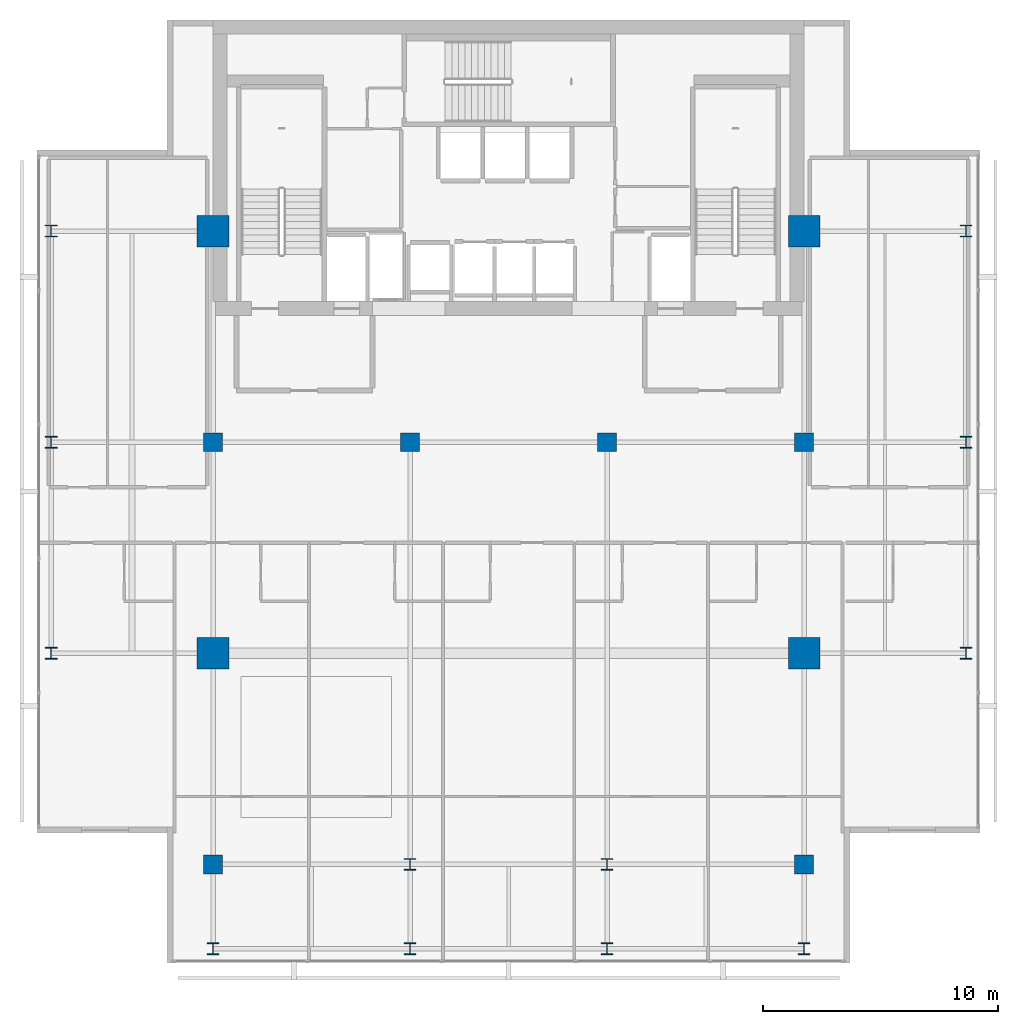
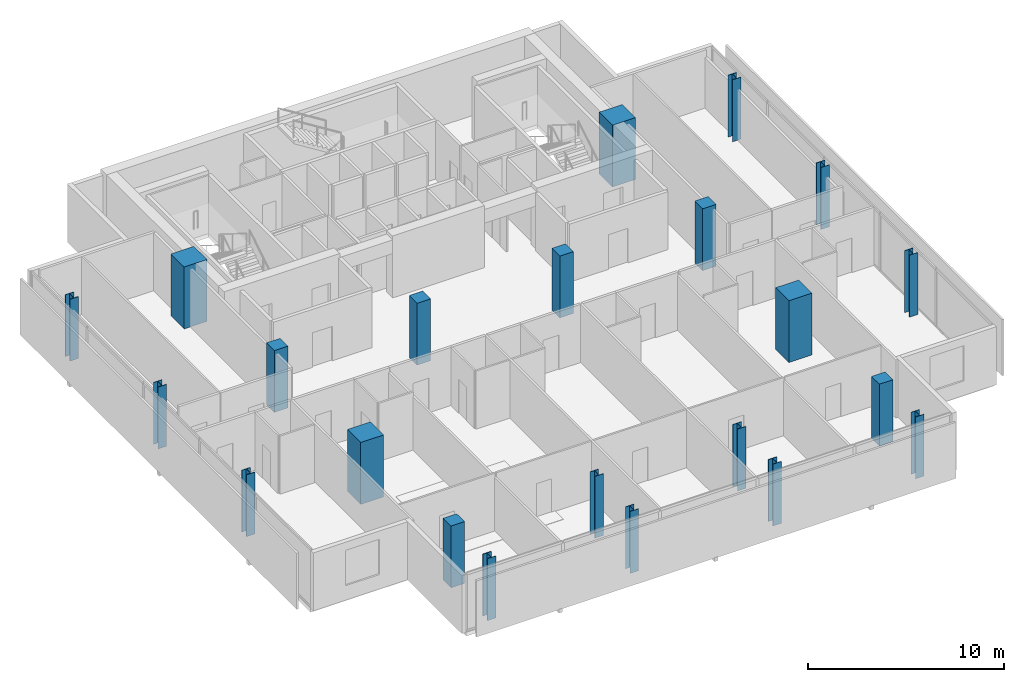
# One storey, part 1 of 24: 22 columns.
"""IFC4 building model written with IfcOpenShell, lengths in metres."""

from ifc_helpers import new_model, si_unit, direction, frame, origin, origin_2d, place, context, subcontext, project, spatial, rectangle, i_section, extrude, material, material_profile, profile_set, type_object, element, save


model = new_model("IFC4")

# Units and contexts
model_context = context("Model", 3, precision=1e-05, world=origin(), true_north=direction((0.0, 1.0)))
body_context = subcontext(model_context, "Body", "Model", "MODEL_VIEW")
ifc_project = project(units=[si_unit("LENGTHUNIT", "METRE"), si_unit("AREAUNIT", "SQUARE_METRE"), si_unit("VOLUMEUNIT", "CUBIC_METRE"), si_unit("PLANEANGLEUNIT", "RADIAN"), si_unit("MASSUNIT", "GRAM", prefix="KILO")], contexts=[model_context])

# Site, building, storey
site_placement = place(None, origin())
site = spatial("IfcSite", under=ifc_project, at=site_placement, CompositionType="ELEMENT")
building_placement = place(site_placement, origin())
building = spatial("IfcBuilding", under=site, at=building_placement, Name="Maruvema Waterfront Hotel and Observation Tower", CompositionType="ELEMENT")
storey_placement = place(building_placement, frame((0.0, 0.0, 333.550048828125)))
storey = spatial("IfcBuildingStorey", under=building, at=storey_placement, Name="L82", CompositionType="ELEMENT", Elevation=333.550048828125)

# Columns
ifc_material_1 = material(Name="Concrete C70/85", Category="concrete")
ifc_material_profile_1 = material_profile(ifc_material_1, rectangle(XDim=1.35009765625, YDim=1.35009765625, at=origin_2d()), Name="MC1350x1350")
ifc_profile_set_1 = profile_set([ifc_material_profile_1], Name="Concrete C70/85")
column_type_1 = type_object("IfcColumnType", Name="Continuous Mega-Column MC1350x1350", PredefinedType="COLUMN", material=ifc_profile_set_1)
for number, where, z_axis, x_axis, name in (
    (1, (25.199951171875, 27.0, 0.0), (0.0, 0.0, 1.0), (1.0, 0.0, 0.0), "L82 Continuous Mega-Column MC-01"),
    (2, (50.39990234375, 27.0, 0.0), (0.0, 0.0, 1.0), (1.0, 0.0, 0.0), "L82 Continuous Mega-Column MC-02"),
    (3, (25.199951171875, 45.0, 0.0), (0.0, 0.0, 1.0), (1.0, 0.0, 0.0), "L82 Continuous Mega-Column MC-03"),
    (4, (50.39990234375, 45.0, 0.0), (0.0, 0.0, 1.0), (1.0, 0.0, 0.0), "L82 Continuous Mega-Column MC-04"),
):
    element("IfcColumn", number, at=place(storey_placement, frame(where, z_axis=z_axis, x_axis=x_axis)), inside=storey, type_object=column_type_1, Name=name, PredefinedType="COLUMN", context=body_context, shape_type="SweptSolid", body=[
        extrude(rectangle(XDim=1.35009765625, YDim=1.35009765625, at=origin_2d()), origin(), (0.0, 0.0, 1.0), 3.849853515625),
    ])
ifc_material_2 = material(Name="Concrete C60/75", Category="concrete")
ifc_material_profile_2 = material_profile(ifc_material_2, rectangle(XDim=0.800048828125, YDim=0.800048828125, at=origin_2d()), Name="RC800x800")
ifc_profile_set_2 = profile_set([ifc_material_profile_2], Name="Concrete C60/75")
column_type_2 = type_object("IfcColumnType", Name="Reinforced Concrete Column RC800x800", PredefinedType="COLUMN", material=ifc_profile_set_2)
for number, where, z_axis, x_axis, name in (
    (5, (25.199951171875, 36.0, 0.0), (0.0, 0.0, 1.0), (1.0, 0.0, 0.0), "L82 Column C-4E"),
    (6, (33.60009765625, 36.0, 0.0), (0.0, 0.0, 1.0), (1.0, 0.0, 0.0), "L82 Column C-5E"),
    (7, (42.0, 36.0, 0.0), (0.0, 0.0, 1.0), (1.0, 0.0, 0.0), "L82 Column C-6E"),
    (8, (50.39990234375, 36.0, 0.0), (0.0, 0.0, 1.0), (1.0, 0.0, 0.0), "L82 Column C-7E"),
    (9, (25.199951171875, 18.0, 0.0), (0.0, 0.0, 1.0), (1.0, 0.0, 0.0), "L82 Column C-4C"),
    (10, (50.39990234375, 18.0, 0.0), (0.0, 0.0, 1.0), (1.0, 0.0, 0.0), "L82 Column C-7C"),
):
    element("IfcColumn", number, at=place(storey_placement, frame(where, z_axis=z_axis, x_axis=x_axis)), inside=storey, type_object=column_type_2, Name=name, PredefinedType="COLUMN", context=body_context, shape_type="SweptSolid", body=[
        extrude(rectangle(XDim=0.800048828125, YDim=0.800048828125, at=origin_2d()), origin(), (0.0, 0.0, 1.0), 3.849853515625),
    ])
ifc_material_3 = material(Name="Steel ABNT NBR 7007 AR 415 (ASTM A572 Grade 50)", Category="steel")
ifc_material_profile_3 = material_profile(ifc_material_3, i_section(OverallWidth=0.5, OverallDepth=0.5, WebThickness=0.02197265625, FlangeThickness=0.031982421875, at=origin_2d()), Name="CVS500x223")
ifc_profile_set_3 = profile_set([ifc_material_profile_3], Name="Steel ABNT NBR 7007 AR 415 (ASTM A572 Grade 50)")
column_type_3 = type_object("IfcColumnType", Name="Structural Steel Column CVS500x223", PredefinedType="COLUMN", material=ifc_profile_set_3)
for number, where, z_axis, x_axis, name in (
    (11, (33.60009765625, 18.0, 0.0), (0.0, 0.0, 1.0), (1.0, 0.0, 0.0), "L82 Column C-5C"),
    (12, (42.0, 18.0, 0.0), (0.0, 0.0, 1.0), (1.0, 0.0, 0.0), "L82 Column C-6C"),
    (13, (18.300048828125, 27.0, 0.0), (0.0, 0.0, 1.0), (1.0, 0.0, 0.0), "L82 Column C-Z4W27"),
    (14, (57.300048828125, 27.0, 0.0), (0.0, 0.0, 1.0), (1.0, 0.0, 0.0), "L82 Column C-Z4E27"),
    (15, (18.300048828125, 36.0, 0.0), (0.0, 0.0, 1.0), (1.0, 0.0, 0.0), "L82 Column C-Z4W36"),
    (16, (57.300048828125, 36.0, 0.0), (0.0, 0.0, 1.0), (1.0, 0.0, 0.0), "L82 Column C-Z4E36"),
    (17, (18.300048828125, 45.0, 0.0), (0.0, 0.0, 1.0), (1.0, 0.0, 0.0), "L82 Column C-Z4W45"),
    (18, (57.300048828125, 45.0, 0.0), (0.0, 0.0, 1.0), (1.0, 0.0, 0.0), "L82 Column C-Z4E45"),
    (19, (25.199951171875, 14.39990234375, 0.0), (0.0, 0.0, 1.0), (1.0, 0.0, 0.0), "L82 Column C-Z4S4"),
    (20, (33.60009765625, 14.39990234375, 0.0), (0.0, 0.0, 1.0), (1.0, 0.0, 0.0), "L82 Column C-Z4S5"),
    (21, (42.0, 14.39990234375, 0.0), (0.0, 0.0, 1.0), (1.0, 0.0, 0.0), "L82 Column C-Z4S6"),
    (22, (50.39990234375, 14.39990234375, 0.0), (0.0, 0.0, 1.0), (1.0, 0.0, 0.0), "L82 Column C-Z4S7"),
):
    element("IfcColumn", number, at=place(storey_placement, frame(where, z_axis=z_axis, x_axis=x_axis)), inside=storey, type_object=column_type_3, Name=name, PredefinedType="COLUMN", context=body_context, shape_type="SweptSolid", body=[
        extrude(i_section(OverallWidth=0.5, OverallDepth=0.5, WebThickness=0.02197265625, FlangeThickness=0.031982421875, at=origin_2d()), origin(), (0.0, 0.0, 1.0), 3.849853515625),
    ])

save(model, "model.ifc")
